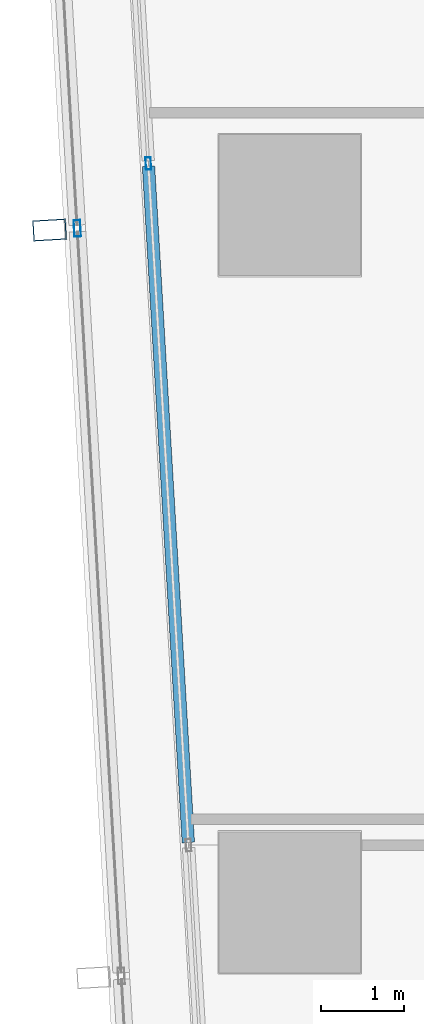
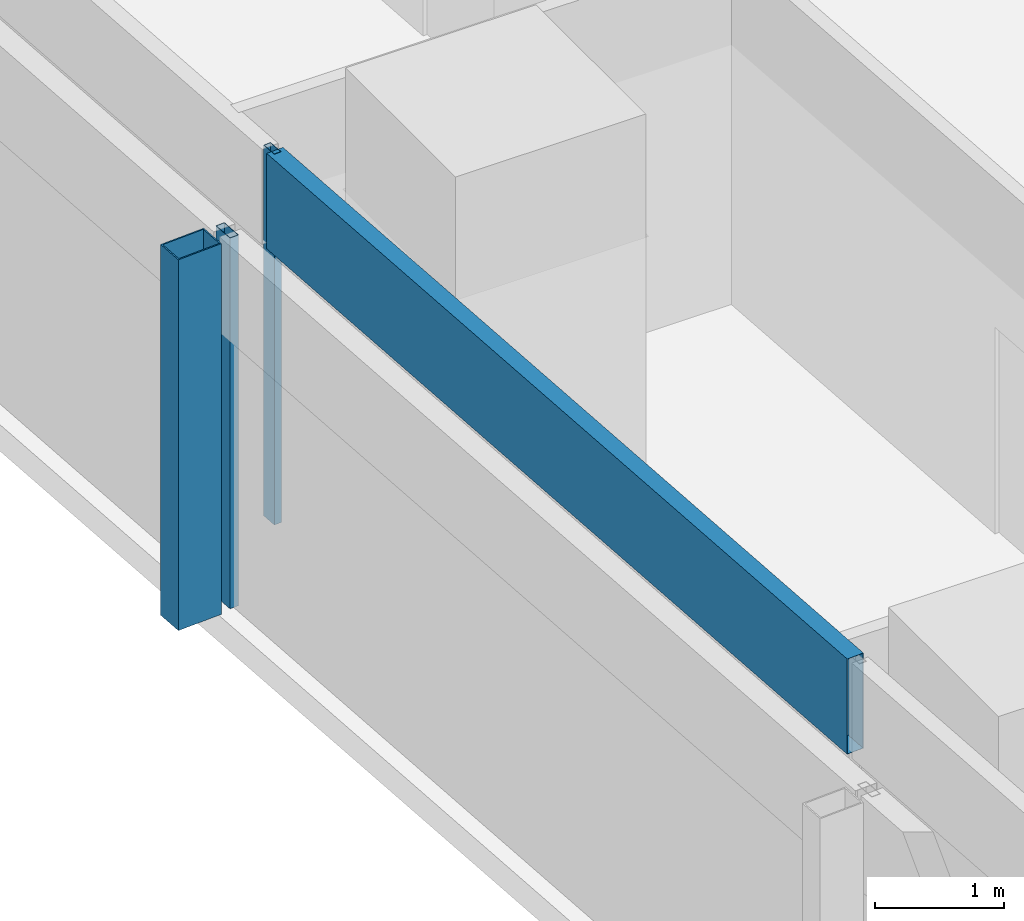
# One storey, part 8 of 39: 4 members, 2 elements without a shape of their own.
"""IFC4 building model written with IfcOpenShell, lengths in metres."""

from ifc_helpers import new_model, si_unit, direction, frame, origin, origin_2d, place, context, subcontext, project, spatial, hollow_rectangle, extrude, material, material_profile, profile_set, type_object, element, aggregate, save


model = new_model("IFC4")

# Units and contexts
model_context = context("Model", 3, precision=1e-05, world=origin(), true_north=direction((0.0, 1.0)))
body_context = subcontext(model_context, "Body", "Model", "MODEL_VIEW")
ifc_project = project(units=[si_unit("LENGTHUNIT", "METRE"), si_unit("AREAUNIT", "SQUARE_METRE"), si_unit("VOLUMEUNIT", "CUBIC_METRE"), si_unit("PLANEANGLEUNIT", "RADIAN"), si_unit("MASSUNIT", "GRAM", prefix="KILO")], contexts=[model_context])

# Site, building, storey
site_placement = place(None, origin())
site = spatial("IfcSite", under=ifc_project, at=site_placement, CompositionType="ELEMENT")
building_placement = place(site_placement, origin())
building = spatial("IfcBuilding", under=site, at=building_placement, Name="Rekha Terrace Tower", CompositionType="ELEMENT")
storey_placement = place(building_placement, frame((0.0, 0.0, 180.199951171875)))
storey = spatial("IfcBuildingStorey", under=building, at=storey_placement, Name="L45", CompositionType="ELEMENT", Elevation=180.199951171875)

# Curtain wall, member
ifc_material_1 = material(Name="Aluminium framing", Category="aluminium")
curtain_wall_type_1 = type_object("IfcCurtainWallType", Name="CW2 double skin outer glazing", PredefinedType="USERDEFINED", material=ifc_material_1)
curtain_wall_1_placement = place(storey_placement, origin())
curtain_wall_1 = element("IfcCurtainWall", 1, at=curtain_wall_1_placement, inside=storey, type_object=curtain_wall_type_1, Name="CW2 double skin outer glazing", ObjectType="DOUBLE SKIN OUTER GLAZING", PredefinedType="USERDEFINED")
ifc_material_2 = material(Name="Steel S355 with fluorocarbon finish", Category="steel")
ifc_material_profile_1 = material_profile(ifc_material_2, hollow_rectangle(XDim=0.25, YDim=0.39990234375, WallThickness=0.012451171875, at=origin_2d()), Name="RHS400x250x12.5")
ifc_profile_set_1 = profile_set([ifc_material_profile_1], Name="Steel S355 with fluorocarbon finish")
member_type_1 = type_object("IfcMemberType", Name="BL1 facade blade RHS 400 x 250", PredefinedType="USERDEFINED", material=ifc_profile_set_1)
member_1_placement = place(storey_placement, frame((5.50634765625, 33.300048828125, 0.0), z_axis=(0.0, 0.0, 1.0), x_axis=(0.058764522885, -0.998271872212, 0.0)))
member_1 = element("IfcMember", 2, at=member_1_placement, type_object=member_type_1, Name="Facade blade", ObjectType="FACADE BLADE", PredefinedType="USERDEFINED", context=body_context, shape_type="SweptSolid", body=[
    extrude(hollow_rectangle(XDim=0.25, YDim=0.39990234375, WallThickness=0.012451171875, at=origin_2d()), origin(), (0.0, 0.0, 1.0), 3.5),
])

# Curtain wall, members
curtain_wall_type_2 = type_object("IfcCurtainWallType", Name="CW1 double skin inner glazing", PredefinedType="USERDEFINED", material=ifc_material_1)
curtain_wall_2_placement = place(storey_placement, origin())
curtain_wall_2 = element("IfcCurtainWall", 3, at=curtain_wall_2_placement, inside=storey, type_object=curtain_wall_type_2, Name="CW1 double skin inner glazing", ObjectType="DOUBLE SKIN INNER GLAZING", PredefinedType="USERDEFINED")
ifc_material_3 = material(Name="Aluminium mullion section", Category="aluminium")
ifc_material_profile_2 = material_profile(ifc_material_3, hollow_rectangle(XDim=0.06494140625, YDim=0.14990234375, WallThickness=0.00390625, at=origin_2d()), Name="AL RHS 65x150")
ifc_profile_set_2 = profile_set([ifc_material_profile_2], Name="Aluminium mullion section")
member_type_2 = type_object("IfcMemberType", Name="CW1 mullion RHS 65 x 150", PredefinedType="MULLION", material=ifc_profile_set_2)
member_2_placement = place(storey_placement, frame((6.6962890625, 34.1015625, 0.0), z_axis=(0.0, 0.0, 1.0), x_axis=(0.998271839267, 0.058765082551, 0.0)))
member_2 = element("IfcMember", 4, at=member_2_placement, type_object=member_type_2, Name="CW1 mullion 2", PredefinedType="MULLION", context=body_context, shape_type="SweptSolid", body=[
    extrude(hollow_rectangle(XDim=0.06494140625, YDim=0.14990234375, WallThickness=0.00390625, at=origin_2d()), origin(), (0.0, 0.0, 1.0), 3.5),
])
ifc_material_4 = material(Name="Insulated aluminium spandrel box", Category="aluminium")
ifc_material_profile_3 = material_profile(ifc_material_4, hollow_rectangle(XDim=0.14990234375, YDim=0.89990234375, WallThickness=0.0029296875, at=origin_2d()), Name="AL SPANDREL BOX 150x900")
ifc_profile_set_3 = profile_set([ifc_material_profile_3], Name="Insulated aluminium spandrel box")
member_type_3 = type_object("IfcMemberType", Name="CW1 spandrel transom 150 x 900", PredefinedType="USERDEFINED", material=ifc_profile_set_3)
member_3_placement = place(storey_placement, frame((6.6982421875, 34.069091796875, 3.050048828125), z_axis=(0.05874481603, -0.998273032086, 0.0), x_axis=(0.998273032086, 0.05874481603, 0.0)))
member_3 = element("IfcMember", 5, at=member_3_placement, type_object=member_type_3, Name="CW1 spandrel transom 2", ObjectType="TRANSOM", PredefinedType="USERDEFINED", context=body_context, shape_type="SweptSolid", body=[
    extrude(hollow_rectangle(XDim=0.14990234375, YDim=0.89990234375, WallThickness=0.0029296875, at=origin_2d()), origin(), (0.0, 0.0, 1.0), 8.162353515625),
])
aggregate(curtain_wall_2, [member_2, member_3])

# Member
ifc_material_profile_4 = material_profile(ifc_material_3, hollow_rectangle(XDim=0.080078125, YDim=0.199951171875, WallThickness=0.00390625, at=origin_2d()), Name="AL RHS 80x200")
ifc_profile_set_4 = profile_set([ifc_material_profile_4], Name="Aluminium mullion section")
member_type_4 = type_object("IfcMemberType", Name="CW2 mullion RHS 80 x 200", PredefinedType="MULLION", material=ifc_profile_set_4)
member_4_placement = place(storey_placement, frame((5.840576171875, 33.31982421875, 0.0), z_axis=(0.0, 0.0, 1.0), x_axis=(0.99827183927, 0.058765082499, 0.0)))
member_4 = element("IfcMember", 6, at=member_4_placement, type_object=member_type_4, Name="CW2 mullion 2", PredefinedType="MULLION", context=body_context, shape_type="SweptSolid", body=[
    extrude(hollow_rectangle(XDim=0.080078125, YDim=0.199951171875, WallThickness=0.00390625, at=origin_2d()), origin(), (0.0, 0.0, 1.0), 3.5),
])

aggregate(curtain_wall_1, [member_4, member_1])

save(model, "model.ifc")
